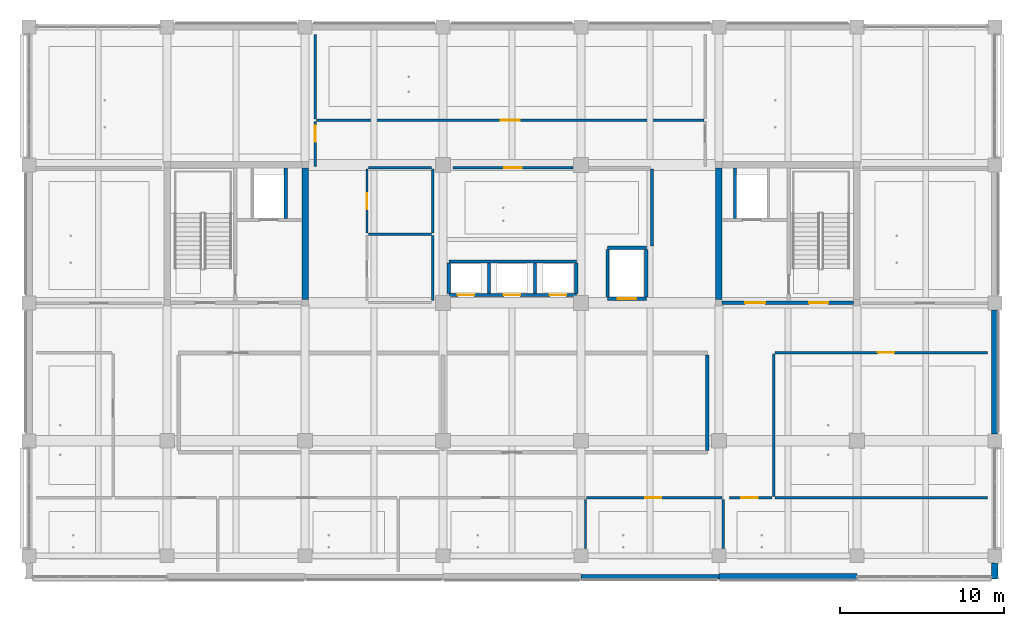
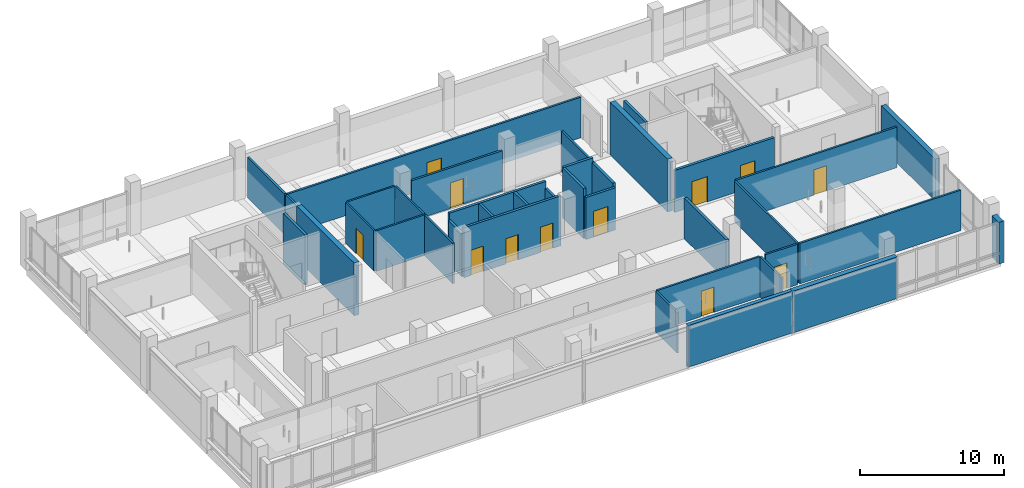
# One storey, part 12 of 36: 37 walls, 13 doors, 13 openings.
"""IFC4 building model written with IfcOpenShell, lengths in metres."""

from ifc_helpers import new_model, si_unit, direction, frame, frame_2d, origin, place, context, subcontext, project, spatial, rectangle, extrude, material, layer, layer_set, type_object, element, fill, save


model = new_model("IFC4")

# Units and contexts
model_context = context("Model", 3, precision=1e-05, world=origin(), true_north=direction((0.0, 1.0)))
body_context = subcontext(model_context, "Body", "Model", "MODEL_VIEW")
ifc_project = project(units=[si_unit("LENGTHUNIT", "METRE"), si_unit("AREAUNIT", "SQUARE_METRE"), si_unit("VOLUMEUNIT", "CUBIC_METRE"), si_unit("PLANEANGLEUNIT", "RADIAN"), si_unit("MASSUNIT", "GRAM", prefix="KILO")], contexts=[model_context])

# Site, building, storey
site_placement = place(None, origin())
site = spatial("IfcSite", under=ifc_project, at=site_placement, CompositionType="ELEMENT")
building_placement = place(site_placement, origin())
building = spatial("IfcBuilding", under=site, at=building_placement, Name="Telukmera Botanical Conservatory", CompositionType="ELEMENT")
storey_placement = place(building_placement, frame((0.0, 0.0, 24.0)))
storey = spatial("IfcBuildingStorey", under=building, at=storey_placement, Name="L05", CompositionType="ELEMENT", Elevation=24.0)

# Walls
ifc_material_1 = material(Name="Terracotta-faced precast concrete C40/50", Category="masonry")
ifc_layer_1 = layer(ifc_material_1, 0.3798828125)
ifc_layer_set_1 = layer_set([ifc_layer_1], Name="Terracotta-faced precast concrete C40/50")
wall_type_1 = type_object("IfcWallType", Name="Exterior Herbarium Vault Insulated Precast Wall 380", PredefinedType="SOLIDWALL", material=ifc_layer_set_1)
wall_1_placement = place(storey_placement, frame((109.199951171875, 9.199951171875, 0.0), z_axis=(0.0, 0.0, 1.0), x_axis=(0.0, 1.0, 0.0)))
element("IfcWall", 1, at=wall_1_placement, inside=storey, type_object=wall_type_1, Name="Exterior Precast Wall EW04 V4:L05:SEC", PredefinedType="SOLIDWALL", context=body_context, shape_type="SweptSolid", body=[
    extrude(rectangle(XDim=0.97314453125, YDim=0.3798828125, at=frame_2d((0.486572265625, 0.0))), origin(), (0.0, 0.0, 1.0), 3.550048828125),
])
wall_2_placement = place(storey_placement, frame((92.402099609375, 9.320068359375, 0.0), z_axis=(0.0, 0.0, 1.0), x_axis=(1.0, 0.0, 0.0)))
element("IfcWall", 2, at=wall_2_placement, inside=storey, type_object=wall_type_1, Name="Exterior Precast Wall EW04 V4:L05:S6", PredefinedType="SOLIDWALL", context=body_context, shape_type="SweptSolid", body=[
    extrude(rectangle(XDim=8.39599609375, YDim=0.3798828125, at=frame_2d((4.197998046875, 0.0))), origin(), (0.0, 0.0, 1.0), 3.550048828125),
])
wall_3_placement = place(storey_placement, frame((109.199951171875, 18.027099609375, 0.0), z_axis=(0.0, 0.0, 1.0), x_axis=(0.0, 1.0, 0.0)))
element("IfcWall", 3, at=wall_3_placement, inside=storey, type_object=wall_type_1, Name="Exterior Precast Wall EW04 V4:L05:E2", PredefinedType="SOLIDWALL", context=body_context, shape_type="SweptSolid", body=[
    extrude(rectangle(XDim=7.5458984375, YDim=0.3798828125, at=frame_2d((3.77294921875, 0.0))), origin(), (0.0, 0.0, 1.0), 3.550048828125),
])
ifc_layer_2 = layer(ifc_material_1, 0.300048828125)
ifc_layer_set_2 = layer_set([ifc_layer_2], Name="Terracotta-faced precast concrete C40/50")
wall_type_2 = type_object("IfcWallType", Name="Exterior Polychrome Terracotta Precast Wall 300", PredefinedType="SOLIDWALL", material=ifc_layer_set_2)
wall_4_placement = place(storey_placement, frame((84.001953125, 9.320068359375, 0.0), z_axis=(0.0, 0.0, 1.0), x_axis=(1.0, 0.0, 0.0)))
element("IfcWall", 4, at=wall_4_placement, inside=storey, type_object=wall_type_2, Name="Exterior Precast Wall EW02 V4:L05:S5", PredefinedType="SOLIDWALL", context=body_context, shape_type="SweptSolid", body=[
    extrude(rectangle(XDim=8.39599609375, YDim=0.300048828125, at=frame_2d((4.197998046875, 0.0))), origin(), (0.0, 0.0, 1.0), 3.550048828125),
])
ifc_material_2 = material(Name="Concrete C40/50", Category="concrete")
ifc_layer_3 = layer(ifc_material_2, 0.199951171875)
ifc_layer_set_3 = layer_set([ifc_layer_3], Name="Concrete C40/50")
wall_type_3 = type_object("IfcWallType", Name="WT-CORE-200", PredefinedType="SOLIDWALL", material=ifc_layer_set_3)
wall_5_placement = place(storey_placement, frame((66.02001953125, 31.14990234375, 0.0), z_axis=(0.0, 0.0, 1.0), x_axis=(0.0, 1.0, 0.0)))
element("IfcWall", 5, at=wall_5_placement, inside=storey, type_object=wall_type_3, Name="L05 Fire Lift FL1 Shaft East Wall", PredefinedType="SOLIDWALL", context=body_context, shape_type="SweptSolid", body=[
    extrude(rectangle(XDim=3.050048828125, YDim=0.199951171875, at=frame_2d((1.52490234375, 0.0))), origin(), (0.0, 0.0, 1.0), 4.25),
])

# Wall, openings, doors
wall_6_placement = place(storey_placement, frame((92.60009765625, 26.0, 0.0), z_axis=(0.0, 0.0, 1.0), x_axis=(1.0, 0.0, 0.0)))
wall_6 = element("IfcWall", 6, at=wall_6_placement, inside=storey, type_object=wall_type_3, Name="L05 Core C2 South Fire Wall", PredefinedType="SOLIDWALL", context=body_context, shape_type="SweptSolid", body=[
    extrude(rectangle(XDim=8.0, YDim=0.199951171875, at=frame_2d((4.0, 0.0))), origin(), (0.0, 0.0, 1.0), 3.580078125),
])
opening_1_placement = place(wall_6_placement, frame((1.39990234375, 0.0, 0.0)))
opening_1 = element("IfcOpeningElement", 7, at=opening_1_placement, cuts=wall_6, Name="Opening FD60C", PredefinedType="OPENING", context=body_context, shape_type="SweptSolid", body=[
    extrude(rectangle(XDim=1.219970703125, YDim=2.14990234375, at=frame_2d((0.60986328125, 1.074951171875))), frame((0.0, 0.10986328125, 0.0), z_axis=(0.0, -1.0, 0.0), x_axis=(1.0, 0.0, 0.0)), (0.0, 0.0, 1.0), 0.219970703125),
])
opening_2_placement = place(wall_6_placement, frame((5.300048828125, 0.0, 0.0)))
opening_2 = element("IfcOpeningElement", 8, at=opening_2_placement, cuts=wall_6, Name="Opening FD60A", PredefinedType="OPENING", context=body_context, shape_type="SweptSolid", body=[
    extrude(rectangle(XDim=1.14990234375, YDim=2.14990234375, at=frame_2d((0.574951171875, 1.074951171875))), frame((0.0, 0.10986328125, 0.0), z_axis=(0.0, -1.0, 0.0), x_axis=(1.0, 0.0, 0.0)), (0.0, 0.0, 1.0), 0.219970703125),
])
ifc_material_3 = material(Name="Hardwood fire door", Category="wood")
door_type_1 = type_object("IfcDoorType", Name="DT-FD60-01", OperationType="NOTDEFINED", PredefinedType="DOOR", material=ifc_material_3)
door_1_placement = place(opening_2_placement, origin())
door_1 = element("IfcDoor", 9, at=door_1_placement, inside=storey, type_object=door_type_1, Name="L05 Stair ST2 Escape Door", OperationType="SINGLE_SWING_LEFT", OverallHeight=2.14990234375, OverallWidth=1.14990234375, PredefinedType="DOOR", context=body_context, shape_type="SweptSolid", body=[
    extrude(rectangle(XDim=1.14990234375, YDim=2.14990234375, at=frame_2d((0.574951171875, 1.074951171875))), frame((0.0, 0.02490234375, 0.0), z_axis=(0.0, -1.0, 0.0), x_axis=(1.0, 0.0, 0.0)), (0.0, 0.0, 1.0), 0.050048828125),
])
fill(opening_2, door_1)
door_type_2 = type_object("IfcDoorType", Name="DT-FD60-03", OperationType="NOTDEFINED", PredefinedType="DOOR", material=ifc_material_3)
door_2_placement = place(opening_1_placement, origin())
door_2 = element("IfcDoor", 10, at=door_2_placement, inside=storey, type_object=door_type_2, Name="L05 Firefighting Lobby C2 Door", OperationType="SINGLE_SWING_RIGHT", OverallHeight=2.14990234375, OverallWidth=1.219970703125, PredefinedType="DOOR", context=body_context, shape_type="SweptSolid", body=[
    extrude(rectangle(XDim=1.219970703125, YDim=2.14990234375, at=frame_2d((0.60986328125, 1.074951171875))), frame((0.0, 0.02490234375, 0.0), z_axis=(0.0, -1.0, 0.0), x_axis=(1.0, 0.0, 0.0)), (0.0, 0.0, 1.0), 0.050048828125),
])
fill(opening_1, door_2)

# Wall
wall_7_placement = place(storey_placement, frame((93.3798828125, 31.14990234375, 0.0), z_axis=(0.0, 0.0, 1.0), x_axis=(0.0, 1.0, 0.0)))
element("IfcWall", 11, at=wall_7_placement, inside=storey, type_object=wall_type_3, Name="L05 Fire Lift FL2 Shaft West Wall", PredefinedType="SOLIDWALL", context=body_context, shape_type="SweptSolid", body=[
    extrude(rectangle(XDim=3.050048828125, YDim=0.199951171875, at=frame_2d((1.52490234375, 0.0))), origin(), (0.0, 0.0, 1.0), 4.25),
])

# Wall, openings, doors
wall_8_placement = place(storey_placement, frame((75.949951171875, 26.47998046875, 0.0), z_axis=(0.0, 0.0, 1.0), x_axis=(1.0, 0.0, 0.0)))
wall_8 = element("IfcWall", 12, at=wall_8_placement, inside=storey, type_object=wall_type_3, Name="L05 Passenger Lift Bank Front Wall", PredefinedType="SOLIDWALL", context=body_context, shape_type="SweptSolid", body=[
    extrude(rectangle(XDim=7.77001953125, YDim=0.199951171875, at=frame_2d((3.885009765625, 0.0))), origin(), (0.0, 0.0, 1.0), 4.25),
])
opening_3_placement = place(wall_8_placement, frame((0.550048828125, 0.0, 0.0)))
opening_3 = element("IfcOpeningElement", 13, at=opening_3_placement, cuts=wall_8, Name="Opening LD03", PredefinedType="OPENING", context=body_context, shape_type="SweptSolid", body=[
    extrude(rectangle(XDim=1.0, YDim=2.14990234375, at=frame_2d((0.5, 1.074951171875))), frame((0.0, 0.10986328125, 0.0), z_axis=(0.0, -1.0, 0.0), x_axis=(1.0, 0.0, 0.0)), (0.0, 0.0, 1.0), 0.219970703125),
])
opening_4_placement = place(wall_8_placement, frame((3.35009765625, 0.0, 0.0)))
opening_4 = element("IfcOpeningElement", 14, at=opening_4_placement, cuts=wall_8, Name="Opening LD03", PredefinedType="OPENING", context=body_context, shape_type="SweptSolid", body=[
    extrude(rectangle(XDim=1.0, YDim=2.14990234375, at=frame_2d((0.5, 1.074951171875))), frame((0.0, 0.10986328125, 0.0), z_axis=(0.0, -1.0, 0.0), x_axis=(1.0, 0.0, 0.0)), (0.0, 0.0, 1.0), 0.219970703125),
])
opening_5_placement = place(wall_8_placement, frame((6.14990234375, 0.0, 0.0)))
opening_5 = element("IfcOpeningElement", 15, at=opening_5_placement, cuts=wall_8, Name="Opening LD03", PredefinedType="OPENING", context=body_context, shape_type="SweptSolid", body=[
    extrude(rectangle(XDim=1.0, YDim=2.14990234375, at=frame_2d((0.5, 1.074951171875))), frame((0.0, 0.10986328125, 0.0), z_axis=(0.0, -1.0, 0.0), x_axis=(1.0, 0.0, 0.0)), (0.0, 0.0, 1.0), 0.219970703125),
])
ifc_material_4 = material(Name="Stainless steel 316", Category="steel")
door_type_3 = type_object("IfcDoorType", Name="DT-LD03", OperationType="SLIDING_TO_LEFT", PredefinedType="DOOR", material=ifc_material_4)
door_3_placement = place(opening_3_placement, frame((1.0, 0.0, 0.0), z_axis=(0.0, 0.0, 1.0), x_axis=(-1.0, 0.0, 0.0)))
door_3 = element("IfcDoor", 16, at=door_3_placement, inside=storey, type_object=door_type_3, Name="L05 Lift Landing Door PL1", OperationType="SLIDING_TO_LEFT", OverallHeight=2.14990234375, OverallWidth=1.0, PredefinedType="DOOR", context=body_context, shape_type="SweptSolid", body=[
    extrude(rectangle(XDim=1.0, YDim=2.14990234375, at=frame_2d((0.5, 1.074951171875))), frame((0.0, 0.02490234375, 0.0), z_axis=(0.0, -1.0, 0.0), x_axis=(1.0, 0.0, 0.0)), (0.0, 0.0, 1.0), 0.050048828125),
])
fill(opening_3, door_3)
door_4_placement = place(opening_4_placement, frame((1.0, 0.0, 0.0), z_axis=(0.0, 0.0, 1.0), x_axis=(-1.0, 0.0, 0.0)))
door_4 = element("IfcDoor", 17, at=door_4_placement, inside=storey, type_object=door_type_3, Name="L05 Lift Landing Door PL2", OperationType="SLIDING_TO_LEFT", OverallHeight=2.14990234375, OverallWidth=1.0, PredefinedType="DOOR", context=body_context, shape_type="SweptSolid", body=[
    extrude(rectangle(XDim=1.0, YDim=2.14990234375, at=frame_2d((0.5, 1.074951171875))), frame((0.0, 0.02490234375, 0.0), z_axis=(0.0, -1.0, 0.0), x_axis=(1.0, 0.0, 0.0)), (0.0, 0.0, 1.0), 0.050048828125),
])
fill(opening_4, door_4)
door_5_placement = place(opening_5_placement, frame((1.0, 0.0, 0.0), z_axis=(0.0, 0.0, 1.0), x_axis=(-1.0, 0.0, 0.0)))
door_5 = element("IfcDoor", 18, at=door_5_placement, inside=storey, type_object=door_type_3, Name="L05 Lift Landing Door PL3", OperationType="SLIDING_TO_LEFT", OverallHeight=2.14990234375, OverallWidth=1.0, PredefinedType="DOOR", context=body_context, shape_type="SweptSolid", body=[
    extrude(rectangle(XDim=1.0, YDim=2.14990234375, at=frame_2d((0.5, 1.074951171875))), frame((0.0, 0.02490234375, 0.0), z_axis=(0.0, -1.0, 0.0), x_axis=(1.0, 0.0, 0.0)), (0.0, 0.0, 1.0), 0.050048828125),
])
fill(opening_5, door_5)

# Walls
wall_9_placement = place(storey_placement, frame((75.949951171875, 28.52001953125, 0.0), z_axis=(0.0, 0.0, 1.0), x_axis=(1.0, 0.0, 0.0)))
element("IfcWall", 19, at=wall_9_placement, inside=storey, type_object=wall_type_3, Name="L05 Passenger Lift Bank Rear Wall", PredefinedType="SOLIDWALL", context=body_context, shape_type="SweptSolid", body=[
    extrude(rectangle(XDim=7.77001953125, YDim=0.199951171875, at=frame_2d((3.885009765625, 0.0))), origin(), (0.0, 0.0, 1.0), 4.25),
])
wall_10_placement = place(storey_placement, frame((75.949951171875, 26.580078125, 0.0), z_axis=(0.0, 0.0, 1.0), x_axis=(0.0, 1.0, 0.0)))
element("IfcWall", 20, at=wall_10_placement, inside=storey, type_object=wall_type_3, Name="L05 Passenger Lift Shaft Wall 1", PredefinedType="SOLIDWALL", context=body_context, shape_type="SweptSolid", body=[
    extrude(rectangle(XDim=1.83984375, YDim=0.199951171875, at=frame_2d((0.919921875, 0.0))), origin(), (0.0, 0.0, 1.0), 3.679931640625),
])
for number, where, z_axis, x_axis, name in (
    (21, (78.39990234375, 26.580078125, 0.0), (0.0, 0.0, 1.0), (0.0, 1.0, 0.0), "L05 Passenger Lift Shaft Wall 2"),
    (22, (81.199951171875, 26.580078125, 0.0), (0.0, 0.0, 1.0), (0.0, 1.0, 0.0), "L05 Passenger Lift Shaft Wall 3"),
):
    element("IfcWall", number, at=place(storey_placement, frame(where, z_axis=z_axis, x_axis=x_axis)), inside=storey, type_object=wall_type_3, Name=name, PredefinedType="SOLIDWALL", context=body_context, shape_type="SweptSolid", body=[
        extrude(rectangle(XDim=1.83984375, YDim=0.199951171875, at=frame_2d((0.919921875, 0.0))), origin(), (0.0, 0.0, 1.0), 4.25),
    ])
wall_11_placement = place(storey_placement, frame((83.719970703125, 26.580078125, 0.0), z_axis=(0.0, 0.0, 1.0), x_axis=(0.0, 1.0, 0.0)))
element("IfcWall", 23, at=wall_11_placement, inside=storey, type_object=wall_type_3, Name="L05 Passenger Lift Shaft Wall 4", PredefinedType="SOLIDWALL", context=body_context, shape_type="SweptSolid", body=[
    extrude(rectangle(XDim=1.83984375, YDim=0.199951171875, at=frame_2d((0.919921875, 0.0))), origin(), (0.0, 0.0, 1.0), 3.679931640625),
])

# Wall, opening, door
wall_12_placement = place(storey_placement, frame((85.6201171875, 26.25, 0.0), z_axis=(0.0, 0.0, 1.0), x_axis=(1.0, 0.0, 0.0)))
wall_12 = element("IfcWall", 24, at=wall_12_placement, inside=storey, type_object=wall_type_3, Name="L05 Goods Lift GL1 Front Wall", PredefinedType="SOLIDWALL", context=body_context, shape_type="SweptSolid", body=[
    extrude(rectangle(XDim=2.35986328125, YDim=0.199951171875, at=frame_2d((1.179931640625, 0.0))), origin(), (0.0, 0.0, 1.0), 3.580078125),
])
opening_6_placement = place(wall_12_placement, frame((0.60498046875, 0.0, 0.0)))
opening_6 = element("IfcOpeningElement", 25, at=opening_6_placement, cuts=wall_12, Name="Opening LD02", PredefinedType="OPENING", context=body_context, shape_type="SweptSolid", body=[
    extrude(rectangle(XDim=1.14990234375, YDim=2.199951171875, at=frame_2d((0.574951171875, 1.10009765625))), frame((0.0, 0.10986328125, 0.0), z_axis=(0.0, -1.0, 0.0), x_axis=(1.0, 0.0, 0.0)), (0.0, 0.0, 1.0), 0.219970703125),
])
door_type_4 = type_object("IfcDoorType", Name="DT-LD02", OperationType="SLIDING_TO_LEFT", PredefinedType="DOOR", material=ifc_material_4)
door_6_placement = place(opening_6_placement, frame((1.14990234375, 0.0, 0.0), z_axis=(0.0, 0.0, 1.0), x_axis=(-1.0, 0.0, 0.0)))
door_6 = element("IfcDoor", 26, at=door_6_placement, inside=storey, type_object=door_type_4, Name="L05 Lift Landing Door GL1", OperationType="SLIDING_TO_LEFT", OverallHeight=2.199951171875, OverallWidth=1.14990234375, PredefinedType="DOOR", context=body_context, shape_type="SweptSolid", body=[
    extrude(rectangle(XDim=1.14990234375, YDim=2.199951171875, at=frame_2d((0.574951171875, 1.10009765625))), frame((0.0, 0.02490234375, 0.0), z_axis=(0.0, -1.0, 0.0), x_axis=(1.0, 0.0, 0.0)), (0.0, 0.0, 1.0), 0.050048828125),
])
fill(opening_6, door_6)

# Walls
wall_13_placement = place(storey_placement, frame((85.6201171875, 29.35009765625, 0.0), z_axis=(0.0, 0.0, 1.0), x_axis=(1.0, 0.0, 0.0)))
element("IfcWall", 27, at=wall_13_placement, inside=storey, type_object=wall_type_3, Name="L05 Goods Lift GL1 Rear Wall", PredefinedType="SOLIDWALL", context=body_context, shape_type="SweptSolid", body=[
    extrude(rectangle(XDim=2.35986328125, YDim=0.199951171875, at=frame_2d((1.179931640625, 0.0))), origin(), (0.0, 0.0, 1.0), 4.25),
])
wall_14_placement = place(storey_placement, frame((85.6201171875, 26.35009765625, 0.0), z_axis=(0.0, 0.0, 1.0), x_axis=(0.0, 1.0, 0.0)))
element("IfcWall", 28, at=wall_14_placement, inside=storey, type_object=wall_type_3, Name="L05 Goods Lift GL1 Side Wall 1", PredefinedType="SOLIDWALL", context=body_context, shape_type="SweptSolid", body=[
    extrude(rectangle(XDim=2.89990234375, YDim=0.199951171875, at=frame_2d((1.449951171875, 0.0))), origin(), (0.0, 0.0, 1.0), 4.25),
])
wall_15_placement = place(storey_placement, frame((87.97998046875, 26.35009765625, 0.0), z_axis=(0.0, 0.0, 1.0), x_axis=(0.0, 1.0, 0.0)))
element("IfcWall", 29, at=wall_15_placement, inside=storey, type_object=wall_type_3, Name="L05 Goods Lift GL1 Side Wall 2", PredefinedType="SOLIDWALL", context=body_context, shape_type="SweptSolid", body=[
    extrude(rectangle(XDim=2.89990234375, YDim=0.199951171875, at=frame_2d((1.449951171875, 0.0))), origin(), (0.0, 0.0, 1.0), 3.8798828125),
])
ifc_material_5 = material(Name="Gypsum acoustic stud partition")
ifc_layer_4 = layer(ifc_material_5, 0.159912109375)
ifc_layer_set_4 = layer_set([ifc_layer_4], Name="Gypsum acoustic stud partition")
wall_type_4 = type_object("IfcWallType", Name="WT-LAB-160", PredefinedType="PARTITIONING", material=ifc_layer_set_4)
wall_16_placement = place(storey_placement, frame((88.324951171875, 29.449951171875, 0.0), z_axis=(0.0, 0.0, 1.0), x_axis=(0.0, 1.0, 0.0)))
element("IfcWall", 30, at=wall_16_placement, inside=storey, type_object=wall_type_4, Name="L05 Interior Partition 06", PredefinedType="PARTITIONING", context=body_context, shape_type="SweptSolid", body=[
    extrude(rectangle(XDim=4.699951171875, YDim=0.159912109375, at=frame_2d((2.35009765625, 0.0))), origin(), (0.0, 0.0, 1.0), 3.449951171875),
])

# Wall, opening, door
wall_17_placement = place(storey_placement, frame((76.199951171875, 34.22509765625, 0.0), z_axis=(0.0, 0.0, 1.0), x_axis=(1.0, 0.0, 0.0)))
wall_17 = element("IfcWall", 31, at=wall_17_placement, inside=storey, type_object=wall_type_4, Name="L05 Interior Partition 07", PredefinedType="PARTITIONING", context=body_context, shape_type="SweptSolid", body=[
    extrude(rectangle(XDim=7.320068359375, YDim=0.159912109375, at=frame_2d((3.66015625, 0.0))), origin(), (0.0, 0.0, 1.0), 3.449951171875),
])
opening_7_placement = place(wall_17_placement, frame((3.1298828125, 0.0, 0.0)))
opening_7 = element("IfcOpeningElement", 32, at=opening_7_placement, cuts=wall_17, Name="Opening ID12", PredefinedType="OPENING", context=body_context, shape_type="SweptSolid", body=[
    extrude(rectangle(XDim=1.06005859375, YDim=2.179931640625, at=frame_2d((0.530029296875, 1.08984375))), frame((0.0, 0.08984375, 0.0), z_axis=(0.0, -1.0, 0.0), x_axis=(1.0, 0.0, 0.0)), (0.0, 0.0, 1.0), 0.179931640625),
])
ifc_material_6 = material(Name="Light-tight microscopy door")
door_type_5 = type_object("IfcDoorType", Name="DT-MIC-106", OperationType="NOTDEFINED", PredefinedType="DOOR", material=ifc_material_6)
door_7_placement = place(opening_7_placement, frame((1.06005859375, 0.0, 0.0), z_axis=(0.0, 0.0, 1.0), x_axis=(-1.0, 0.0, 0.0)))
door_7 = element("IfcDoor", 33, at=door_7_placement, inside=storey, type_object=door_type_5, Name="L05 Herbarium Imaging Darkroom Door", OperationType="SINGLE_SWING_RIGHT", OverallHeight=2.179931640625, OverallWidth=1.06005859375, PredefinedType="DOOR", context=body_context, shape_type="SweptSolid", body=[
    extrude(rectangle(XDim=1.06005859375, YDim=2.179931640625, at=frame_2d((0.530029296875, 1.08984375))), frame((0.0, 0.02490234375, 0.0), z_axis=(0.0, -1.0, 0.0), x_axis=(1.0, 0.0, 0.0)), (0.0, 0.0, 1.0), 0.050048828125),
])
fill(opening_7, door_7)

wall_18_placement = place(storey_placement, frame((67.909912109375, 37.125, 0.0), z_axis=(0.0, 0.0, 1.0), x_axis=(1.0, 0.0, 0.0)))
wall_18 = element("IfcWall", 34, at=wall_18_placement, inside=storey, type_object=wall_type_4, Name="L05 Interior Partition 30", PredefinedType="PARTITIONING", context=body_context, shape_type="SweptSolid", body=[
    extrude(rectangle(XDim=23.590087890625, YDim=0.159912109375, at=frame_2d((11.794921875, 0.0))), origin(), (0.0, 0.0, 1.0), 3.449951171875),
])
opening_8_placement = place(wall_18_placement, frame((11.215087890625, 0.0, 0.0)))
opening_8 = element("IfcOpeningElement", 35, at=opening_8_placement, cuts=wall_18, Name="Opening ID09", PredefinedType="OPENING", context=body_context, shape_type="SweptSolid", body=[
    extrude(rectangle(XDim=1.159912109375, YDim=2.199951171875, at=frame_2d((0.580078125, 1.10009765625))), frame((0.0, 0.08984375, 0.0), z_axis=(0.0, -1.0, 0.0), x_axis=(1.0, 0.0, 0.0)), (0.0, 0.0, 1.0), 0.179931640625),
])
ifc_material_7 = material(Name="Phenolic faced laboratory fire door")
door_type_6 = type_object("IfcDoorType", Name="DT-LAB-116", OperationType="NOTDEFINED", PredefinedType="DOOR", material=ifc_material_7)
door_8_placement = place(opening_8_placement, origin())
door_8 = element("IfcDoor", 36, at=door_8_placement, inside=storey, type_object=door_type_6, Name="L05 Quantitative Taxonomy Laboratory Door", OperationType="SINGLE_SWING_LEFT", OverallHeight=2.199951171875, OverallWidth=1.159912109375, PredefinedType="DOOR", context=body_context, shape_type="SweptSolid", body=[
    extrude(rectangle(XDim=1.159912109375, YDim=2.199951171875, at=frame_2d((0.580078125, 1.10009765625))), frame((0.0, 0.02490234375, 0.0), z_axis=(0.0, -1.0, 0.0), x_axis=(1.0, 0.0, 0.0)), (0.0, 0.0, 1.0), 0.050048828125),
])
fill(opening_8, door_8)

# Wall
wall_19_placement = place(storey_placement, frame((67.824951171875, 37.199951171875, 0.0), z_axis=(0.0, 0.0, 1.0), x_axis=(0.0, 1.0, 0.0)))
element("IfcWall", 37, at=wall_19_placement, inside=storey, type_object=wall_type_4, Name="L05 Interior Partition 32", PredefinedType="PARTITIONING", context=body_context, shape_type="SweptSolid", body=[
    extrude(rectangle(XDim=5.150146484375, YDim=0.159912109375, at=frame_2d((2.5751953125, 0.0))), origin(), (0.0, 0.0, 1.0), 3.449951171875),
])

# Wall, opening, door
ifc_layer_5 = layer(ifc_material_5, 0.14990234375)
ifc_layer_set_5 = layer_set([ifc_layer_5], Name="Gypsum acoustic stud partition")
wall_type_5 = type_object("IfcWallType", Name="WT-STD-150", PredefinedType="PARTITIONING", material=ifc_layer_set_5)
wall_20_placement = place(storey_placement, frame((95.800048828125, 22.97509765625, 0.0), z_axis=(0.0, 0.0, 1.0), x_axis=(1.0, 0.0, 0.0)))
wall_20 = element("IfcWall", 38, at=wall_20_placement, inside=storey, type_object=wall_type_5, Name="L05 Interior Partition 14", PredefinedType="PARTITIONING", context=body_context, shape_type="SweptSolid", body=[
    extrude(rectangle(XDim=12.949951171875, YDim=0.14990234375, at=frame_2d((6.47509765625, 0.0))), origin(), (0.0, 0.0, 1.0), 3.449951171875),
])
opening_9_placement = place(wall_20_placement, frame((6.2763671875, 0.0, 0.0)))
opening_9 = element("IfcOpeningElement", 39, at=opening_9_placement, cuts=wall_20, Name="Opening ID14", PredefinedType="OPENING", context=body_context, shape_type="SweptSolid", body=[
    extrude(rectangle(XDim=1.0, YDim=2.14990234375, at=frame_2d((0.5, 1.074951171875))), frame((0.0, 0.0849609375, 0.0), z_axis=(0.0, -1.0, 0.0), x_axis=(1.0, 0.0, 0.0)), (0.0, 0.0, 1.0), 0.169921875),
])
ifc_material_8 = material(Name="Acoustic timber office door", Category="wood")
door_type_7 = type_object("IfcDoorType", Name="DT-WRT-100", OperationType="NOTDEFINED", PredefinedType="DOOR", material=ifc_material_8)
door_9_placement = place(opening_9_placement, frame((1.0, 0.0, 0.0), z_axis=(0.0, 0.0, 1.0), x_axis=(-1.0, 0.0, 0.0)))
door_9 = element("IfcDoor", 40, at=door_9_placement, inside=storey, type_object=door_type_7, Name="L05 East Herbarium Curation Studio Door", OperationType="SINGLE_SWING_RIGHT", OverallHeight=2.14990234375, OverallWidth=1.0, PredefinedType="DOOR", context=body_context, shape_type="SweptSolid", body=[
    extrude(rectangle(XDim=1.0, YDim=2.14990234375, at=frame_2d((0.5, 1.074951171875))), frame((0.0, 0.02490234375, 0.0), z_axis=(0.0, -1.0, 0.0), x_axis=(1.0, 0.0, 0.0)), (0.0, 0.0, 1.0), 0.050048828125),
])
fill(opening_9, door_9)

# Wall
wall_21_placement = place(storey_placement, frame((95.72509765625, 14.199951171875, 0.0), z_axis=(0.0, 0.0, 1.0), x_axis=(0.0, 1.0, 0.0)))
element("IfcWall", 41, at=wall_21_placement, inside=storey, type_object=wall_type_5, Name="L05 Interior Partition 17", PredefinedType="PARTITIONING", context=body_context, shape_type="SweptSolid", body=[
    extrude(rectangle(XDim=8.68994140625, YDim=0.14990234375, at=frame_2d((4.344970703125, 0.0))), origin(), (0.0, 0.0, 1.0), 3.449951171875),
])

# Wall, opening, door
wall_22_placement = place(storey_placement, frame((93.050048828125, 14.125, 0.0), z_axis=(0.0, 0.0, 1.0), x_axis=(1.0, 0.0, 0.0)))
wall_22 = element("IfcWall", 42, at=wall_22_placement, inside=storey, type_object=wall_type_5, Name="L05 Interior Partition 18", PredefinedType="PARTITIONING", context=body_context, shape_type="SweptSolid", body=[
    extrude(rectangle(XDim=2.58984375, YDim=0.14990234375, at=frame_2d((1.294921875, 0.0))), origin(), (0.0, 0.0, 1.0), 3.449951171875),
])
opening_10_placement = place(wall_22_placement, frame((0.717041015625, 0.0, 0.0)))
opening_10 = element("IfcOpeningElement", 43, at=opening_10_placement, cuts=wall_22, Name="Opening ID14", PredefinedType="OPENING", context=body_context, shape_type="SweptSolid", body=[
    extrude(rectangle(XDim=1.0, YDim=2.14990234375, at=frame_2d((0.5, 1.074951171875))), frame((0.0, 0.0849609375, 0.0), z_axis=(0.0, -1.0, 0.0), x_axis=(1.0, 0.0, 0.0)), (0.0, 0.0, 1.0), 0.169921875),
])
door_10_placement = place(opening_10_placement, frame((1.0, 0.0, 0.0), z_axis=(0.0, 0.0, 1.0), x_axis=(-1.0, 0.0, 0.0)))
door_10 = element("IfcDoor", 44, at=door_10_placement, inside=storey, type_object=door_type_7, Name="L05 Laboratory Write-Up Studio Door", OperationType="SINGLE_SWING_LEFT", OverallHeight=2.14990234375, OverallWidth=1.0, PredefinedType="DOOR", context=body_context, shape_type="SweptSolid", body=[
    extrude(rectangle(XDim=1.0, YDim=2.14990234375, at=frame_2d((0.5, 1.074951171875))), frame((0.0, 0.02490234375, 0.0), z_axis=(0.0, -1.0, 0.0), x_axis=(1.0, 0.0, 0.0)), (0.0, 0.0, 1.0), 0.050048828125),
])
fill(opening_10, door_10)

wall_23_placement = place(storey_placement, frame((84.35009765625, 14.125, 0.0), z_axis=(0.0, 0.0, 1.0), x_axis=(1.0, 0.0, 0.0)))
wall_23 = element("IfcWall", 45, at=wall_23_placement, inside=storey, type_object=wall_type_5, Name="L05 Interior Partition 22", PredefinedType="PARTITIONING", context=body_context, shape_type="SweptSolid", body=[
    extrude(rectangle(XDim=8.25, YDim=0.14990234375, at=frame_2d((4.125, 0.0))), origin(), (0.0, 0.0, 1.0), 3.449951171875),
])
opening_11_placement = place(wall_23_placement, frame((3.550048828125, 0.0, 0.0)))
opening_11 = element("IfcOpeningElement", 46, at=opening_11_placement, cuts=wall_23, Name="Opening ID14", PredefinedType="OPENING", context=body_context, shape_type="SweptSolid", body=[
    extrude(rectangle(XDim=1.0, YDim=2.14990234375, at=frame_2d((0.5, 1.074951171875))), frame((0.0, 0.0849609375, 0.0), z_axis=(0.0, -1.0, 0.0), x_axis=(1.0, 0.0, 0.0)), (0.0, 0.0, 1.0), 0.169921875),
])
door_11_placement = place(opening_11_placement, frame((1.0, 0.0, 0.0), z_axis=(0.0, 0.0, 1.0), x_axis=(-1.0, 0.0, 0.0)))
door_11 = element("IfcDoor", 47, at=door_11_placement, inside=storey, type_object=door_type_7, Name="L05 Lichenology Taxonomy Studio Door", OperationType="SINGLE_SWING_RIGHT", OverallHeight=2.14990234375, OverallWidth=1.0, PredefinedType="DOOR", context=body_context, shape_type="SweptSolid", body=[
    extrude(rectangle(XDim=1.0, YDim=2.14990234375, at=frame_2d((0.5, 1.074951171875))), frame((0.0, 0.02490234375, 0.0), z_axis=(0.0, -1.0, 0.0), x_axis=(1.0, 0.0, 0.0)), (0.0, 0.0, 1.0), 0.050048828125),
])
fill(opening_11, door_11)

# Walls
wall_24_placement = place(storey_placement, frame((95.81005859375, 14.125, 0.0), z_axis=(0.0, 0.0, 1.0), x_axis=(1.0, 0.0, 0.0)))
element("IfcWall", 48, at=wall_24_placement, inside=storey, type_object=wall_type_5, Name="L05 Interior Partition 24", PredefinedType="PARTITIONING", context=body_context, shape_type="SweptSolid", body=[
    extrude(rectangle(XDim=12.93994140625, YDim=0.14990234375, at=frame_2d((6.469970703125, 0.0))), origin(), (0.0, 0.0, 1.0), 3.449951171875),
])
for number, where, z_axis, x_axis, name in (
    (49, (84.27490234375, 11.054931640625, 0.0), (0.0, 0.0, 1.0), (0.0, 1.0, 0.0), "L05 Interior Partition 27"),
    (50, (92.675048828125, 11.054931640625, 0.0), (0.0, 0.0, 1.0), (0.0, 1.0, 0.0), "L05 Interior Partition 28"),
):
    element("IfcWall", number, at=place(storey_placement, frame(where, z_axis=z_axis, x_axis=x_axis)), inside=storey, type_object=wall_type_5, Name=name, PredefinedType="PARTITIONING", context=body_context, shape_type="SweptSolid", body=[
        extrude(rectangle(XDim=2.985107421875, YDim=0.14990234375, at=frame_2d((1.49267578125, 0.0))), origin(), (0.0, 0.0, 1.0), 3.449951171875),
    ])

# Wall, opening, door
wall_25_placement = place(storey_placement, frame((67.824951171875, 34.300048828125, 0.0), z_axis=(0.0, 0.0, 1.0), x_axis=(0.0, 1.0, 0.0)))
wall_25 = element("IfcWall", 51, at=wall_25_placement, inside=storey, type_object=wall_type_5, Name="L05 Interior Partition 29", PredefinedType="PARTITIONING", context=body_context, shape_type="SweptSolid", body=[
    extrude(rectangle(XDim=2.75, YDim=0.14990234375, at=frame_2d((1.375, 0.0))), origin(), (0.0, 0.0, 1.0), 3.449951171875),
])
opening_12_placement = place(wall_25_placement, frame((1.5, 0.0, 0.0)))
opening_12 = element("IfcOpeningElement", 52, at=opening_12_placement, cuts=wall_25, Name="Opening ID14", PredefinedType="OPENING", context=body_context, shape_type="SweptSolid", body=[
    extrude(rectangle(XDim=1.0, YDim=2.14990234375, at=frame_2d((0.5, 1.074951171875))), frame((0.0, 0.0849609375, 0.0), z_axis=(0.0, -1.0, 0.0), x_axis=(1.0, 0.0, 0.0)), (0.0, 0.0, 1.0), 0.169921875),
])
door_12_placement = place(opening_12_placement, origin())
door_12 = element("IfcDoor", 53, at=door_12_placement, inside=storey, type_object=door_type_7, Name="L05 Flora Malesiana Research Studio Door", OperationType="SINGLE_SWING_RIGHT", OverallHeight=2.14990234375, OverallWidth=1.0, PredefinedType="DOOR", context=body_context, shape_type="SweptSolid", body=[
    extrude(rectangle(XDim=1.0, YDim=2.14990234375, at=frame_2d((0.5, 1.074951171875))), frame((0.0, 0.02490234375, 0.0), z_axis=(0.0, -1.0, 0.0), x_axis=(1.0, 0.0, 0.0)), (0.0, 0.0, 1.0), 0.050048828125),
])
fill(opening_12, door_12)

# Wall
ifc_layer_6 = layer(ifc_material_2, 0.219970703125)
ifc_layer_set_6 = layer_set([ifc_layer_6], Name="Concrete C40/50")
wall_type_6 = type_object("IfcWallType", Name="WT-VAULT-220", PredefinedType="SOLIDWALL", material=ifc_layer_set_6)
wall_26_placement = place(storey_placement, frame((91.699951171875, 17.010009765625, 0.0), z_axis=(0.0, 0.0, 1.0), x_axis=(0.0, 1.0, 0.0)))
element("IfcWall", 54, at=wall_26_placement, inside=storey, type_object=wall_type_6, Name="L05 Herbarium Vault East 2hr Wall", PredefinedType="SOLIDWALL", context=body_context, shape_type="SweptSolid", body=[
    extrude(rectangle(XDim=5.830078125, YDim=0.219970703125, at=frame_2d((2.9150390625, 0.0))), origin(), (0.0, 0.0, 1.0), 3.449951171875),
])

# Wall, opening, door
ifc_material_9 = material(Name="Moisture-resistant blockwork", Category="masonry")
ifc_layer_7 = layer(ifc_material_9, 0.135009765625)
ifc_layer_set_7 = layer_set([ifc_layer_7], Name="Moisture-resistant blockwork")
wall_type_7 = type_object("IfcWallType", Name="WT-WC-135", PredefinedType="PARTITIONING", material=ifc_layer_set_7)
wall_27_placement = place(storey_placement, frame((70.97509765625, 30.25, 0.0), z_axis=(0.0, 0.0, 1.0), x_axis=(0.0, 1.0, 0.0)))
wall_27 = element("IfcWall", 55, at=wall_27_placement, inside=storey, type_object=wall_type_7, Name="L05 Interior Partition 02", PredefinedType="PARTITIONING", context=body_context, shape_type="SweptSolid", body=[
    extrude(rectangle(XDim=3.89990234375, YDim=0.135009765625, at=frame_2d((1.949951171875, 0.0))), origin(), (0.0, 0.0, 1.0), 3.449951171875),
])
opening_13_placement = place(wall_27_placement, frame((1.4599609375, 0.0, 0.0)))
opening_13 = element("IfcOpeningElement", 56, at=opening_13_placement, cuts=wall_27, Name="Opening ID15", PredefinedType="OPENING", context=body_context, shape_type="SweptSolid", body=[
    extrude(rectangle(XDim=0.97998046875, YDim=2.14990234375, at=frame_2d((0.489990234375, 1.074951171875))), frame((0.0, 0.077392578125, 0.0), z_axis=(0.0, -1.0, 0.0), x_axis=(1.0, 0.0, 0.0)), (0.0, 0.0, 1.0), 0.155029296875),
])
ifc_material_10 = material(Name="Accessible sanitary laminate door")
door_type_8 = type_object("IfcDoorType", Name="DT-OKU-098", OperationType="NOTDEFINED", PredefinedType="DOOR", material=ifc_material_10)
door_13_placement = place(opening_13_placement, origin())
door_13 = element("IfcDoor", 57, at=door_13_placement, inside=storey, type_object=door_type_8, Name="L05 Accessible WC Door", OperationType="SINGLE_SWING_LEFT", OverallHeight=2.14990234375, OverallWidth=0.97998046875, PredefinedType="DOOR", context=body_context, shape_type="SweptSolid", body=[
    extrude(rectangle(XDim=0.97998046875, YDim=2.14990234375, at=frame_2d((0.489990234375, 1.074951171875))), frame((0.0, 0.02490234375, 0.0), z_axis=(0.0, -1.0, 0.0), x_axis=(1.0, 0.0, 0.0)), (0.0, 0.0, 1.0), 0.050048828125),
])
fill(opening_13, door_13)

# Walls
for number, where, z_axis, x_axis, name in (
    (58, (71.050048828125, 30.175048828125, 0.0), (0.0, 0.0, 1.0), (1.0, 0.0, 0.0), "L05 Interior Partition 03"),
    (59, (71.050048828125, 34.22509765625, 0.0), (0.0, 0.0, 1.0), (1.0, 0.0, 0.0), "L05 Interior Partition 05"),
):
    element("IfcWall", number, at=place(storey_placement, frame(where, z_axis=z_axis, x_axis=x_axis)), inside=storey, type_object=wall_type_7, Name=name, PredefinedType="PARTITIONING", context=body_context, shape_type="SweptSolid", body=[
        extrude(rectangle(XDim=3.849853515625, YDim=0.135009765625, at=frame_2d((1.9248046875, 0.0))), origin(), (0.0, 0.0, 1.0), 3.449951171875),
    ])
wall_28_placement = place(storey_placement, frame((74.967529296875, 26.14990234375, 0.0), z_axis=(0.0, 0.0, 1.0), x_axis=(0.0, 1.0, 0.0)))
element("IfcWall", 60, at=wall_28_placement, inside=storey, type_object=wall_type_7, Name="L05 WC Enclosure Partition 01", PredefinedType="PARTITIONING", context=body_context, shape_type="SweptSolid", body=[
    extrude(rectangle(XDim=3.947509765625, YDim=0.135009765625, at=frame_2d((1.9736328125, 0.0))), origin(), (0.0, 0.0, 1.0), 3.449951171875),
])
wall_29_placement = place(storey_placement, frame((74.967529296875, 30.25244140625, 0.0), z_axis=(0.0, 0.0, 1.0), x_axis=(0.0, 1.0, 0.0)))
element("IfcWall", 61, at=wall_29_placement, inside=storey, type_object=wall_type_7, Name="L05 WC Enclosure Partition 02", PredefinedType="PARTITIONING", context=body_context, shape_type="SweptSolid", body=[
    extrude(rectangle(XDim=3.89501953125, YDim=0.135009765625, at=frame_2d((1.947509765625, 0.0))), origin(), (0.0, 0.0, 1.0), 3.449951171875),
])
ifc_material_11 = material(Name="Concrete C50/60", Category="concrete")
ifc_layer_8 = layer(ifc_material_11, 0.39990234375)
ifc_layer_set_8 = layer_set([ifc_layer_8], Name="Concrete C50/60")
wall_type_8 = type_object("IfcWallType", Name="Wall_CW1", PredefinedType="SHEAR", material=ifc_layer_set_8)
for number, where, z_axis, x_axis, name in (
    (62, (67.199951171875, 26.199951171875, 0.0), (0.0, 0.0, 1.0), (0.0, 1.0, 0.0), "Core C1 Shear Wall East L05"),
    (63, (92.39990234375, 26.199951171875, 0.0), (0.0, 0.0, 1.0), (0.0, 1.0, 0.0), "Core C2 Shear Wall West L05"),
):
    element("IfcWall", number, at=place(storey_placement, frame(where, z_axis=z_axis, x_axis=x_axis)), inside=storey, type_object=wall_type_8, Name=name, PredefinedType="SHEAR", context=body_context, shape_type="SweptSolid", body=[
        extrude(rectangle(XDim=8.0, YDim=0.39990234375, at=frame_2d((4.0, 0.0))), origin(), (0.0, 0.0, 1.0), 4.5),
    ])

save(model, "model.ifc")
